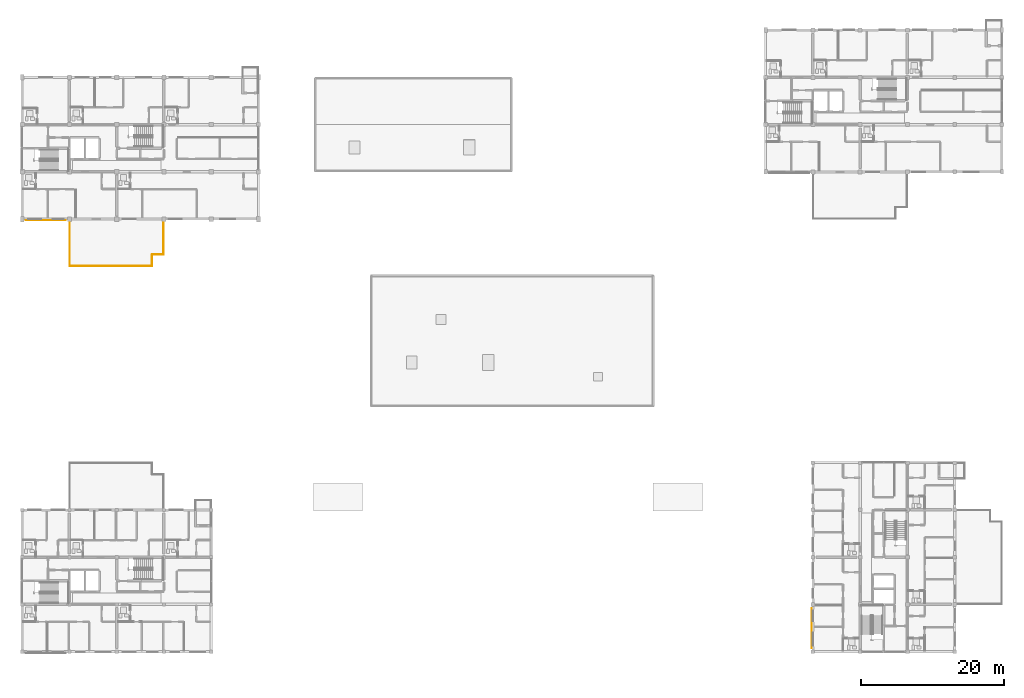
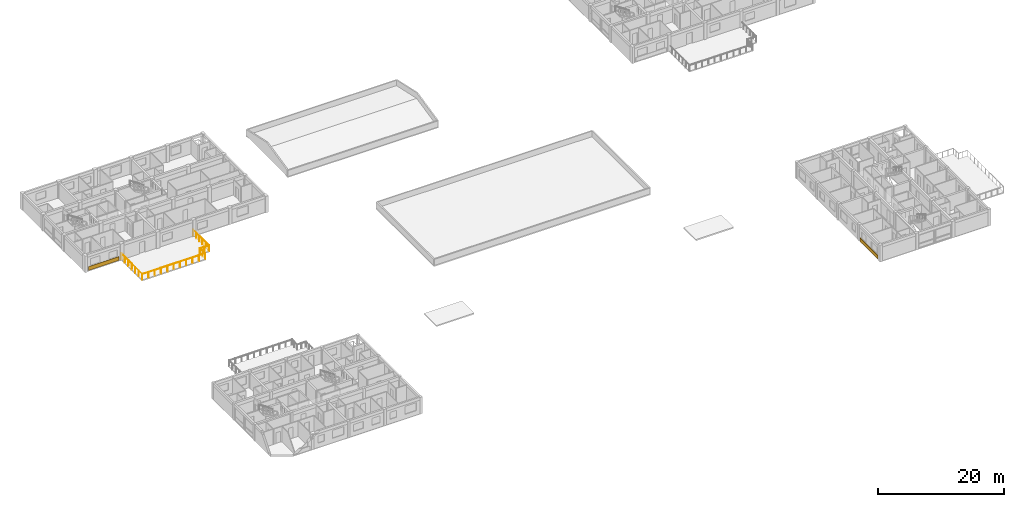
# One storey, part 44 of 51: 2 coverings, 1 railing.
"""IFC4 building model written with IfcOpenShell, lengths in metres."""

import ifcopenshell
import ifcopenshell.guid

model = None  # the IFC model being written
_history = None  # IfcOwnerHistory: only IFC2X3 demands one
_inside = {}  # id of a spatial element -> (the spatial element, [elements in it])
_under = {}  # id of a project, library or spatial element -> (it, [spatial elements below it])
_declared = {}  # id of a project -> (the project, [libraries it declares])
_typed = {}  # id of a type object -> (the type object, [elements of that type])
_made_of = {}  # id of a material, layer set ... -> (it, [elements and type objects made of it])


def new_model(schema):
    """Start an empty IFC model of exactly this schema.

    Asked for "IFC4X3", IfcOpenShell would pick the latest addendum, in which some entities
    have other attributes; the version numbers below select the first issue.
    IFC2X3 requires an IfcOwnerHistory on every rooted entity: one is made here for all.
    """
    global model, _history
    if schema == "IFC4X3":
        model = ifcopenshell.file(schema_version=(4, 3, 0, 0))
    else:
        model = ifcopenshell.file(schema=schema)
    _inside.clear()
    _under.clear()
    _declared.clear()
    _typed.clear()
    _made_of.clear()
    _history = None
    if model.schema == "IFC2X3":
        org = make("IfcOrganization", Name="unknown")
        user = make(
            "IfcPersonAndOrganization",
            ThePerson=make("IfcPerson", FamilyName="unknown"),
            TheOrganization=org,
        )
        app = make(
            "IfcApplication",
            ApplicationDeveloper=org,
            Version="unknown",
            ApplicationFullName="unknown",
            ApplicationIdentifier="unknown",
        )
        _history = make(
            "IfcOwnerHistory",
            OwningUser=user,
            OwningApplication=app,
            ChangeAction="ADDED",
            CreationDate=0,
        )
    return model


def make(cls, **values):
    """One entity of the class cls with the attributes given. An attribute that is None is left unset."""
    return model.create_entity(
        cls, **{name: value for name, value in values.items() if value is not None}
    )


def rooted(cls, **values):
    """An entity with a GlobalId (a new one), such as an element, a storey or a relation."""
    return make(cls, GlobalId=ifcopenshell.guid.new(), OwnerHistory=_history, **values)


def si_unit(unit_type, name, prefix=None):
    """IfcSIUnit, for example si_unit("LENGTHUNIT", "METRE", prefix="MILLI")."""
    return make("IfcSIUnit", UnitType=unit_type, Prefix=prefix, Name=name)


def assignment(units):
    """IfcUnitAssignment: the units of a project."""
    return None if units is None else make("IfcUnitAssignment", Units=units)


def point(xyz):
    """IfcCartesianPoint."""
    return None if xyz is None else make("IfcCartesianPoint", Coordinates=xyz)


def direction(xyz):
    """IfcDirection."""
    return None if xyz is None else make("IfcDirection", DirectionRatios=xyz)


def frame(location, z_axis=None, x_axis=None):
    """IfcAxis2Placement3D, a coordinate frame: its origin and axes. An axis left out is left unset."""
    return make(
        "IfcAxis2Placement3D",
        Location=point(location),
        Axis=direction(z_axis),
        RefDirection=direction(x_axis),
    )


def frame_2d(location, x_axis=None):
    """IfcAxis2Placement2D, a coordinate frame in the plane: its origin and x axis."""
    return make(
        "IfcAxis2Placement2D", Location=point(location), RefDirection=direction(x_axis)
    )


def origin():
    """The frame at (0, 0, 0) with its axes left unset."""
    return frame((0.0, 0.0, 0.0))


def origin_2d():
    """The frame at (0, 0) in the plane with its x axis left unset."""
    return frame_2d((0.0, 0.0))


def place(relative_to, where):
    """IfcLocalPlacement: puts the frame where relative to a parent placement (None: the world)."""
    return make(
        "IfcLocalPlacement", PlacementRelTo=relative_to, RelativePlacement=where
    )


def context(
    kind, dimensions, precision=None, world=None, true_north=None, identifier=None
):
    """IfcGeometricRepresentationContext, for example the 3D "Model" context."""
    return make(
        "IfcGeometricRepresentationContext",
        ContextIdentifier=identifier,
        ContextType=kind,
        CoordinateSpaceDimension=dimensions,
        Precision=precision,
        WorldCoordinateSystem=world,
        TrueNorth=true_north,
    )


def subcontext(parent, identifier, kind, view, scale=None):
    """IfcGeometricRepresentationSubContext, for example "Body" below "Model"."""
    return make(
        "IfcGeometricRepresentationSubContext",
        ContextIdentifier=identifier,
        ContextType=kind,
        ParentContext=parent,
        TargetScale=scale,
        TargetView=view,
    )


def project(units=None, contexts=None):
    """IfcProject with its units and contexts."""
    return rooted(
        "IfcProject",
        Name="project",
        RepresentationContexts=contexts,
        UnitsInContext=assignment(units),
    )


def spatial(cls, under=None, at=None, **own):
    """A site, building, storey or space (cls), placed at a placement, below another one or the project."""
    s = rooted(cls, ObjectPlacement=at, **own)
    if under is not None:
        _under.setdefault(under.id(), (under, []))[1].append(s)
    return s


def profile(cls, at=None, kind="AREA", **sizes):
    """A parametric profile (cls). Its sizes go by their IFC names, for example OverallWidth=200.0."""
    return make(cls, ProfileType=kind, Position=at, **sizes)


def rectangle(**sizes):
    """IfcRectangleProfileDef."""
    return profile("IfcRectangleProfileDef", **sizes)


def circle(**sizes):
    """IfcCircleProfileDef."""
    return profile("IfcCircleProfileDef", **sizes)


def extrude(swept, where, along, depth):
    """IfcExtrudedAreaSolid: the profile swept, set in the frame where, extruded along a direction by depth."""
    return make(
        "IfcExtrudedAreaSolid",
        SweptArea=swept,
        Position=where,
        ExtrudedDirection=direction(along),
        Depth=depth,
    )


def shape(context_of_items, identifier, shape_type, items):
    """IfcShapeRepresentation: the items that make up one representation, for example the "Body"."""
    return make(
        "IfcShapeRepresentation",
        ContextOfItems=context_of_items,
        RepresentationIdentifier=identifier,
        RepresentationType=shape_type,
        Items=items,
    )


def material(Name=None, Category=None):
    """IfcMaterial."""
    return make("IfcMaterial", Name=Name, Category=Category)


def layer(
    of_material, thickness, ventilated=None, Name=None, Category=None, Priority=None
):
    """IfcMaterialLayer: one layer of a wall or slab, of a material (None: an air gap)."""
    return make(
        "IfcMaterialLayer",
        Material=of_material,
        LayerThickness=thickness,
        IsVentilated=ventilated,
        Name=Name,
        Category=Category,
        Priority=Priority,
    )


def layer_set(layers, Name=None):
    """IfcMaterialLayerSet."""
    return make("IfcMaterialLayerSet", MaterialLayers=layers, LayerSetName=Name)


def made_of(thing, what):
    """Note that an element or type object is made of a material, layer set ...; save() writes the relation."""
    if what is not None:
        _made_of.setdefault(what.id(), (what, []))[1].append(thing)
    return thing


def type_object(cls, material=None, **own):
    """A type object (cls), such as IfcWallType, which elements share."""
    return made_of(rooted(cls, **own), material)


def element(
    cls,
    number,
    at=None,
    inside=None,
    cuts=None,
    type_object=None,
    material=None,
    context=None,
    identifier="Body",
    shape_type=None,
    held_by="IfcProductDefinitionShape",
    body=None,
    shapes=None,
    **own,
):
    """One element of the class cls, such as IfcWall. Its Tag is "e" and its number.

    at: its placement. inside: the storey or other place that contains it. cuts: it is an
    opening in that element (IfcRelVoidsElement). A single representation is given by context,
    identifier, shape_type and body (its items); several are given by shapes. held_by: the class
    of the entity that holds the representations. save() writes the other relations.
    """
    e = rooted(cls, Tag="e%d" % number, ObjectPlacement=at, **own)
    if body is not None:
        shapes = [shape(context, identifier, shape_type, body)]
    if shapes is not None:
        e.Representation = make(held_by, Representations=shapes)
    if inside is not None:
        _inside.setdefault(inside.id(), (inside, []))[1].append(e)
    if cuts is not None:
        rooted(
            "IfcRelVoidsElement", RelatingBuildingElement=cuts, RelatedOpeningElement=e
        )
    if type_object is not None:
        _typed.setdefault(type_object.id(), (type_object, []))[1].append(e)
    return made_of(e, material)


def aggregate(whole, parts):
    """IfcRelAggregates: a whole, such as a stair, and the parts it consists of."""
    return rooted("IfcRelAggregates", RelatingObject=whole, RelatedObjects=parts)


def save(model, path):
    """Write the relations noted so far, then the file.

    IfcRelAggregates (storeys below a building ...), IfcRelContainedInSpatialStructure (elements
    in a storey), IfcRelDefinesByType, IfcRelAssociatesMaterial and IfcRelDeclares: one each for
    every whole, place, type object, material and project.
    """
    for whole, parts in _under.values():
        aggregate(whole, parts)
    for where, things in _inside.values():
        rooted(
            "IfcRelContainedInSpatialStructure",
            RelatedElements=things,
            RelatingStructure=where,
        )
    for kind, things in _typed.values():
        rooted("IfcRelDefinesByType", RelatedObjects=things, RelatingType=kind)
    for what, things in _made_of.values():
        rooted("IfcRelAssociatesMaterial", RelatedObjects=things, RelatingMaterial=what)
    for by, libraries in _declared.values():
        rooted("IfcRelDeclares", RelatingContext=by, RelatedDefinitions=libraries)
    model.write(path)


model = new_model("IFC4")

# Units and contexts
model_context = context("Model", 3, precision=1e-05, world=origin(), true_north=direction((0.0, 1.0)))
body_context = subcontext(model_context, "Body", "Model", "MODEL_VIEW")
ifc_project = project(units=[si_unit("LENGTHUNIT", "METRE"), si_unit("AREAUNIT", "SQUARE_METRE"), si_unit("VOLUMEUNIT", "CUBIC_METRE"), si_unit("PLANEANGLEUNIT", "RADIAN"), si_unit("MASSUNIT", "GRAM", prefix="KILO")], contexts=[model_context])

# Site, building, storey
site_placement = place(None, origin())
site = spatial("IfcSite", under=ifc_project, at=site_placement, CompositionType="ELEMENT")
building_placement = place(site_placement, origin())
building = spatial("IfcBuilding", under=site, at=building_placement, Name="Kernevlak Ridge Housing Community", CompositionType="ELEMENT")
storey_placement = place(building_placement, frame((0.0, 0.0, 8.39990234375)))
storey = spatial("IfcBuildingStorey", under=building, at=storey_placement, Name="L02", CompositionType="ELEMENT", Elevation=8.39990234375)

# Coverings
ifc_material_1 = material(Name="Aluminium EN AW-5005 enamelled cladding", Category="aluminium")
ifc_layer = layer(ifc_material_1, 0.030029296875, Name="Aluminium EN AW-5005 enamelled cladding")
ifc_layer_set = layer_set([ifc_layer], Name="Aluminium EN AW-5005 enamelled cladding")
covering_type = type_object("IfcCoveringType", Name="CV-04", PredefinedType="CLADDING", material=ifc_layer_set)
for number, where, z_axis, x_axis, name in (
    (1, (18.89990234375, 75.8349609375, 0.0751953125), (0.0, 0.0, 1.0), (1.0, 0.0, 0.0), "Block A L02 De Stijl blue spandrel cladding"),
    (2, (125.8349609375, 18.89990234375, 0.0751953125), (0.0, 0.0, 1.0), (0.0, 1.0, 0.0), "Block C L02 De Stijl blue spandrel cladding"),
):
    element("IfcCovering", number, at=place(storey_placement, frame(where, z_axis=z_axis, x_axis=x_axis)), inside=storey, type_object=covering_type, Name=name, PredefinedType="CLADDING", context=body_context, shape_type="SweptSolid", body=[
        extrude(rectangle(XDim=5.60009765625, YDim=0.030029296875, at=origin_2d()), origin(), (0.0, 0.0, 1.0), 0.75),
    ])

# Railing
ifc_material_2 = material(Name="Steel S355", Category="steel")
railing_type = type_object("IfcRailingType", Name="GR-01", PredefinedType="GUARDRAIL", material=ifc_material_2)
railing_placement = place(storey_placement, frame((22.25, 76.0, 0.0)))
element("IfcRailing", 3, at=railing_placement, inside=storey, type_object=railing_type, Name="Block A L02 podium terrace guard GR-01 2", PredefinedType="GUARDRAIL", context=body_context, shape_type="SweptSolid", body=[
    extrude(circle(Radius=0.02392578125, at=origin_2d()), frame((0.0, 0.0, 1.09619140625), z_axis=(0.0, -1.0, 0.0), x_axis=(1.0, 0.0, 0.0)), (0.0, 0.0, 1.0), 6.550048828125),
    extrude(circle(Radius=0.02392578125, at=origin_2d()), frame((0.0, -6.550048828125, 1.09619140625), z_axis=(1.0, 0.0, 0.0), x_axis=(0.0, 1.0, 0.0)), (0.0, 0.0, 1.0), 11.5),
    extrude(circle(Radius=0.02392578125, at=origin_2d()), frame((11.5, -6.550048828125, 1.09619140625), z_axis=(0.0, 1.0, 0.0), x_axis=(-1.0, 0.0, 0.0)), (0.0, 0.0, 1.0), 1.60009765625),
    extrude(circle(Radius=0.02392578125, at=origin_2d()), frame((11.5, -4.949951171875, 1.09619140625), z_axis=(1.0, 0.0, 0.0), x_axis=(0.0, 1.0, 0.0)), (0.0, 0.0, 1.0), 1.60009765625),
    extrude(circle(Radius=0.02392578125, at=origin_2d()), frame((13.10009765625, -4.949951171875, 1.09619140625), z_axis=(0.0, 1.0, 0.0), x_axis=(-1.0, 0.0, 0.0)), (0.0, 0.0, 1.0), 4.949951171875),
    extrude(circle(Radius=0.02099609375, at=origin_2d()), origin(), (0.0, 0.0, 1.0), 1.072021484375),
    extrude(circle(Radius=0.02099609375, at=origin_2d()), frame((0.0, -1.091796875, 0.0)), (0.0, 0.0, 1.0), 1.072021484375),
    extrude(circle(Radius=0.02099609375, at=origin_2d()), frame((0.0, -2.183349609375, 0.0)), (0.0, 0.0, 1.0), 1.072021484375),
    extrude(circle(Radius=0.02099609375, at=origin_2d()), frame((0.0, -3.27490234375, 0.0)), (0.0, 0.0, 1.0), 1.072021484375),
    extrude(circle(Radius=0.02099609375, at=origin_2d()), frame((0.0, -4.36669921875, 0.0)), (0.0, 0.0, 1.0), 1.072021484375),
    extrude(circle(Radius=0.02099609375, at=origin_2d()), frame((0.0, -5.45849609375, 0.0)), (0.0, 0.0, 1.0), 1.072021484375),
    extrude(circle(Radius=0.02099609375, at=origin_2d()), frame((0.0, -6.550048828125, 0.0)), (0.0, 0.0, 1.0), 1.072021484375),
    extrude(circle(Radius=0.02099609375, at=origin_2d()), frame((1.14990234375, -6.550048828125, 0.0)), (0.0, 0.0, 1.0), 1.072021484375),
    extrude(circle(Radius=0.02099609375, at=origin_2d()), frame((2.300048828125, -6.550048828125, 0.0)), (0.0, 0.0, 1.0), 1.072021484375),
    extrude(circle(Radius=0.02099609375, at=origin_2d()), frame((3.449951171875, -6.550048828125, 0.0)), (0.0, 0.0, 1.0), 1.072021484375),
    extrude(circle(Radius=0.02099609375, at=origin_2d()), frame((4.60009765625, -6.550048828125, 0.0)), (0.0, 0.0, 1.0), 1.072021484375),
    extrude(circle(Radius=0.02099609375, at=origin_2d()), frame((5.75, -6.550048828125, 0.0)), (0.0, 0.0, 1.0), 1.072021484375),
    extrude(circle(Radius=0.02099609375, at=origin_2d()), frame((6.89990234375, -6.550048828125, 0.0)), (0.0, 0.0, 1.0), 1.072021484375),
    extrude(circle(Radius=0.02099609375, at=origin_2d()), frame((8.050048828125, -6.550048828125, 0.0)), (0.0, 0.0, 1.0), 1.072021484375),
    extrude(circle(Radius=0.02099609375, at=origin_2d()), frame((9.199951171875, -6.550048828125, 0.0)), (0.0, 0.0, 1.0), 1.072021484375),
    extrude(circle(Radius=0.02099609375, at=origin_2d()), frame((10.35009765625, -6.550048828125, 0.0)), (0.0, 0.0, 1.0), 1.072021484375),
    extrude(circle(Radius=0.02099609375, at=origin_2d()), frame((11.5, -6.550048828125, 0.0)), (0.0, 0.0, 1.0), 1.072021484375),
    extrude(circle(Radius=0.02099609375, at=origin_2d()), frame((11.5, -5.75, 0.0)), (0.0, 0.0, 1.0), 1.072021484375),
    extrude(circle(Radius=0.02099609375, at=origin_2d()), frame((11.5, -4.949951171875, 0.0)), (0.0, 0.0, 1.0), 1.072021484375),
    extrude(circle(Radius=0.02099609375, at=origin_2d()), frame((12.300048828125, -4.949951171875, 0.0)), (0.0, 0.0, 1.0), 1.072021484375),
    extrude(circle(Radius=0.02099609375, at=origin_2d()), frame((13.10009765625, -4.949951171875, 0.0)), (0.0, 0.0, 1.0), 1.072021484375),
    extrude(circle(Radius=0.02099609375, at=origin_2d()), frame((13.10009765625, -3.9599609375, 0.0)), (0.0, 0.0, 1.0), 1.072021484375),
    extrude(circle(Radius=0.02099609375, at=origin_2d()), frame((13.10009765625, -2.969970703125, 0.0)), (0.0, 0.0, 1.0), 1.072021484375),
    extrude(circle(Radius=0.02099609375, at=origin_2d()), frame((13.10009765625, -1.97998046875, 0.0)), (0.0, 0.0, 1.0), 1.072021484375),
    extrude(circle(Radius=0.02099609375, at=origin_2d()), frame((13.10009765625, -0.989990234375, 0.0)), (0.0, 0.0, 1.0), 1.072021484375),
    extrude(circle(Radius=0.02099609375, at=origin_2d()), frame((13.10009765625, 0.0, 0.0)), (0.0, 0.0, 1.0), 1.072021484375),
])

save(model, "model.ifc")
